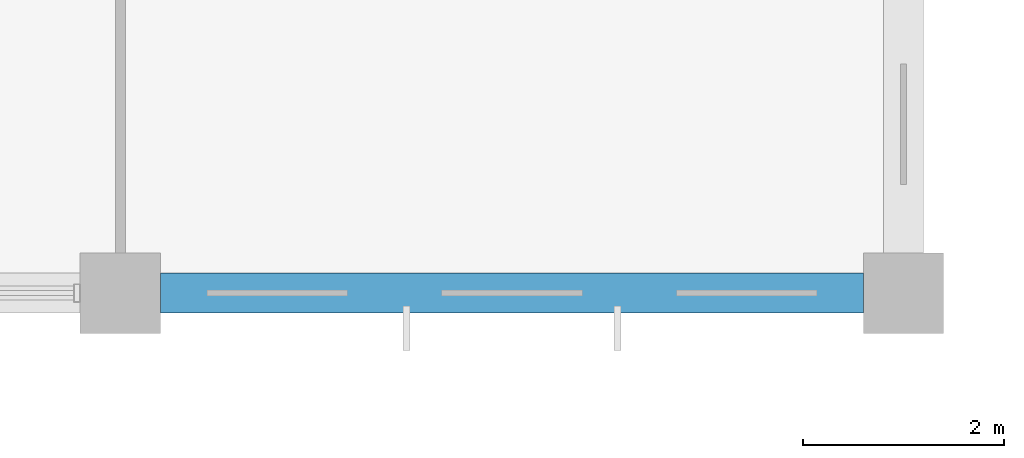
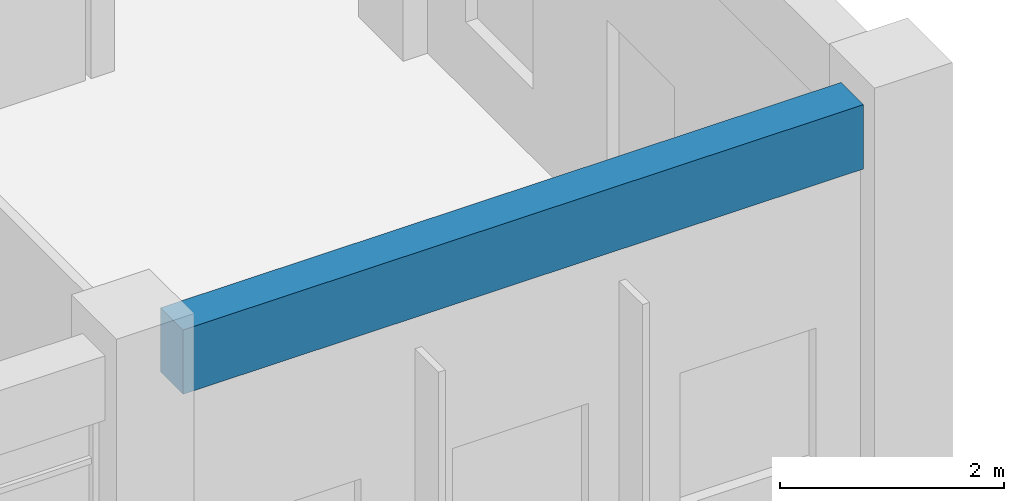
# One storey, part 30 of 62: 1 beam.
"""IFC4 building model written with IfcOpenShell, lengths in metres."""

from ifc_helpers import new_model, si_unit, direction, frame, origin, origin_2d, place, context, subcontext, project, spatial, rectangle, extrude, material, material_profile, profile_set, type_object, element, save


model = new_model("IFC4")

# Units and contexts
model_context = context("Model", 3, precision=1e-05, world=origin(), true_north=direction((0.0, 1.0)))
body_context = subcontext(model_context, "Body", "Model", "MODEL_VIEW")
ifc_project = project(units=[si_unit("LENGTHUNIT", "METRE"), si_unit("AREAUNIT", "SQUARE_METRE"), si_unit("VOLUMEUNIT", "CUBIC_METRE"), si_unit("PLANEANGLEUNIT", "RADIAN"), si_unit("MASSUNIT", "GRAM", prefix="KILO"), si_unit("THERMODYNAMICTEMPERATUREUNIT", "KELVIN"), si_unit("POWERUNIT", "WATT")], contexts=[model_context])

# Site, building, storey
site_placement = place(None, origin())
site = spatial("IfcSite", under=ifc_project, at=site_placement, CompositionType="ELEMENT")
building_placement = place(site_placement, origin())
building = spatial("IfcBuilding", under=site, at=building_placement, Name="Srebrne Nadtorze General Hospital", CompositionType="ELEMENT")
storey_placement = place(building_placement, frame((0.0, 0.0, 9.60009765625)))
storey = spatial("IfcBuildingStorey", under=building, at=storey_placement, Name="L02", CompositionType="ELEMENT", Elevation=9.60009765625)

# Beam
ifc_material = material(Name="Concrete C40/50", Category="concrete")
ifc_material_profile = material_profile(ifc_material, rectangle(XDim=0.39990234375, YDim=0.699951171875, at=origin_2d()), Name="RC-BM-400x700")
ifc_profile_set = profile_set([ifc_material_profile], Name="Concrete C40/50")
beam_type = type_object("IfcBeamType", Name="Edge beam RC 400x700", PredefinedType="BEAM", material=ifc_profile_set)
beam_placement = place(storey_placement, frame((140.800048828125, 0.0, 4.14990234375), z_axis=(1.0, 0.0, 0.0), x_axis=(0.0, 1.0, 0.0)))
element("IfcBeam", 1, at=beam_placement, inside=storey, type_object=beam_type, Name="Beam BM-L02-X-0562", PredefinedType="BEAM", context=body_context, shape_type="SweptSolid", body=[
    extrude(rectangle(XDim=0.39990234375, YDim=0.699951171875, at=origin_2d()), origin(), (0.0, 0.0, 1.0), 7.0),
])

save(model, "model.ifc")
